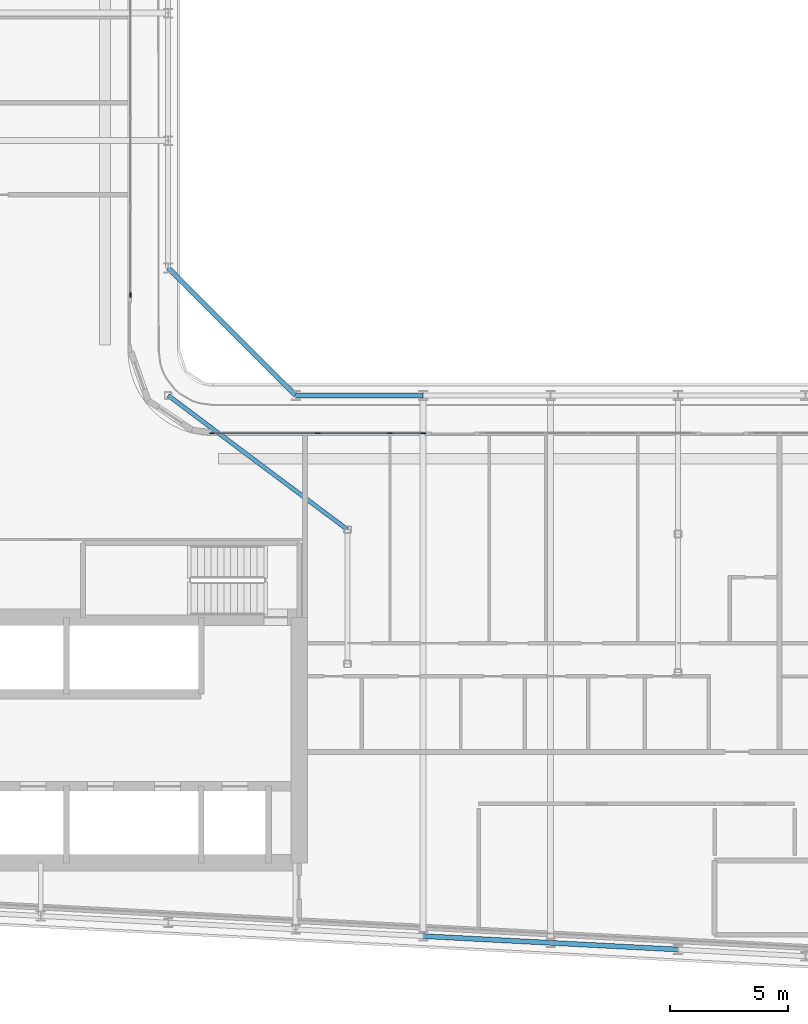
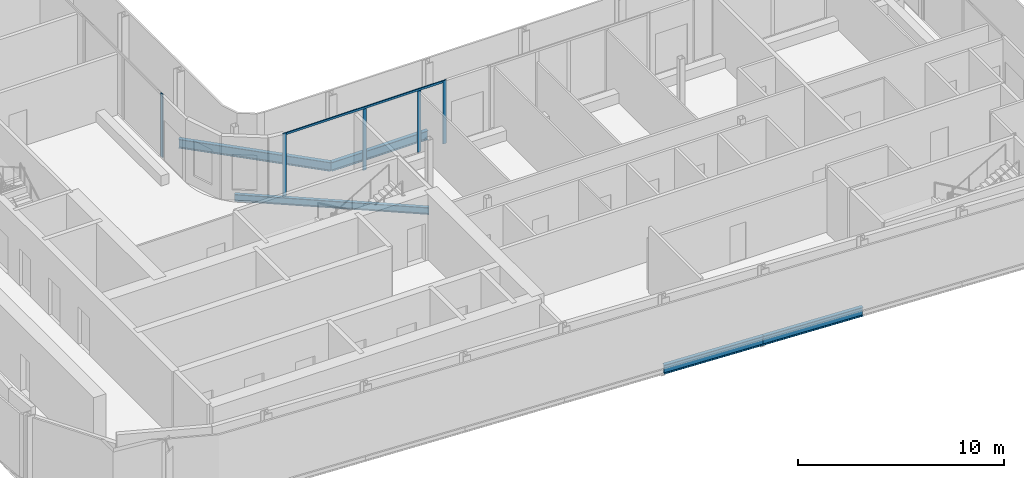
# One storey, part 4 of 21: 6 members, 5 beams, 2 elements without a shape of their own.
"""IFC4 building model written with IfcOpenShell, lengths in metres."""

from ifc_helpers import new_model, si_unit, direction, frame, origin, origin_2d, place, context, subcontext, project, spatial, rectangle, i_section, extrude, material, layer, layer_set, material_profile, profile_set, type_object, element, aggregate, save


model = new_model("IFC4")

# Units and contexts
model_context = context("Model", 3, precision=1e-05, world=origin(), true_north=direction((0.0, 1.0)))
body_context = subcontext(model_context, "Body", "Model", "MODEL_VIEW")
ifc_project = project(units=[si_unit("LENGTHUNIT", "METRE"), si_unit("AREAUNIT", "SQUARE_METRE"), si_unit("VOLUMEUNIT", "CUBIC_METRE"), si_unit("PLANEANGLEUNIT", "RADIAN"), si_unit("MASSUNIT", "GRAM", prefix="KILO")], contexts=[model_context])

# Site, building, storey
site_placement = place(None, origin())
site = spatial("IfcSite", under=ifc_project, at=site_placement, CompositionType="ELEMENT")
building_placement = place(site_placement, origin())
building = spatial("IfcBuilding", under=site, at=building_placement, Name="Kheshtan School and Residences Tower", CompositionType="ELEMENT")
storey_placement = place(building_placement, frame((0.0, 0.0, 224.0)))
storey = spatial("IfcBuildingStorey", under=building, at=storey_placement, Name="L52", CompositionType="ELEMENT", Elevation=224.0)

# Beams
ifc_material_1 = material(Name="Steel ASTM A992 Grade 50", Category="steel")
ifc_material_profile_1 = material_profile(ifc_material_1, i_section(OverallWidth=0.180908203125, OverallDepth=0.4169921875, WebThickness=0.010986328125, FlangeThickness=0.018310546875, FilletRadius=0.012451171875, at=origin_2d()), Name="W410x85")
ifc_profile_set_1 = profile_set([ifc_material_profile_1], Name="Steel ASTM A992 Grade 50")
beam_type_1 = type_object("IfcBeamType", Name="Beam FB3 W410x85 ASTM A992 Grade 50", PredefinedType="BEAM", material=ifc_profile_set_1)
beam_1_placement = place(storey_placement, frame((47.60009765625, 45.60009765625, -0.3583984375), z_axis=(0.800798828004, -0.598933416222, 0.0), x_axis=(0.598933416222, 0.800798828004, 0.0)))
element("IfcBeam", 1, at=beam_1_placement, inside=storey, type_object=beam_type_1, Name="Floor beam IC", PredefinedType="BEAM", context=body_context, shape_type="SweptSolid", body=[
    extrude(i_section(OverallWidth=0.180908203125, OverallDepth=0.4169921875, WebThickness=0.010986328125, FlangeThickness=0.018310546875, FilletRadius=0.012451171875, at=origin_2d()), origin(), (0.0, 0.0, 1.0), 9.490234375),
])
ifc_material_profile_2 = material_profile(ifc_material_1, i_section(OverallWidth=0.208984375, OverallDepth=0.532958984375, WebThickness=0.01025390625, FlangeThickness=0.015625, FilletRadius=0.013916015625, at=origin_2d()), Name="W530x92")
ifc_profile_set_2 = profile_set([ifc_material_profile_2], Name="Steel ASTM A992 Grade 50")
beam_type_2 = type_object("IfcBeamType", Name="Beam SP3 W530x92 ASTM A992 Grade 50", PredefinedType="BEAM", material=ifc_profile_set_2)
beam_2_placement = place(storey_placement, frame((47.60009765625, 51.0, -0.41650390625), z_axis=(0.707106781187, -0.707106781187, 0.0), x_axis=(0.707106781187, 0.707106781187, 0.0)))
element("IfcBeam", 2, at=beam_2_placement, inside=storey, type_object=beam_type_2, Name="Spandrel beam C079-C061", PredefinedType="BEAM", context=body_context, shape_type="SweptSolid", body=[
    extrude(i_section(OverallWidth=0.208984375, OverallDepth=0.532958984375, WebThickness=0.01025390625, FlangeThickness=0.015625, FilletRadius=0.013916015625, at=origin_2d()), origin(), (0.0, 0.0, 1.0), 7.63671875),
])
beam_3_placement = place(storey_placement, frame((53.0, 45.60009765625, -0.41650390625), z_axis=(1.0, 0.0, 0.0), x_axis=(0.0, 1.0, 0.0)))
element("IfcBeam", 3, at=beam_3_placement, inside=storey, type_object=beam_type_2, Name="Spandrel beam C061-C062", PredefinedType="BEAM", context=body_context, shape_type="SweptSolid", body=[
    extrude(i_section(OverallWidth=0.208984375, OverallDepth=0.532958984375, WebThickness=0.01025390625, FlangeThickness=0.015625, FilletRadius=0.013916015625, at=origin_2d()), origin(), (0.0, 0.0, 1.0), 5.39990234375),
])
beam_4_placement = place(storey_placement, frame((69.199951171875, 22.126953125, -0.41650390625), z_axis=(-0.998620447272, 0.05250906864, 0.0), x_axis=(-0.05250906864, -0.998620447272, 0.0)))
element("IfcBeam", 4, at=beam_4_placement, inside=storey, type_object=beam_type_2, Name="Spandrel beam C014-C016", PredefinedType="BEAM", context=body_context, shape_type="SweptSolid", body=[
    extrude(i_section(OverallWidth=0.208984375, OverallDepth=0.532958984375, WebThickness=0.01025390625, FlangeThickness=0.015625, FilletRadius=0.013916015625, at=origin_2d()), origin(), (0.0, 0.0, 1.0), 5.407470703125),
])
beam_5_placement = place(storey_placement, frame((63.800048828125, 22.410888671875, -0.41650390625), z_axis=(-0.998618203458, 0.052551724256, 0.0), x_axis=(-0.052551724256, -0.998618203458, 0.0)))
element("IfcBeam", 5, at=beam_5_placement, inside=storey, type_object=beam_type_2, Name="Spandrel beam C016-C018", PredefinedType="BEAM", context=body_context, shape_type="SweptSolid", body=[
    extrude(i_section(OverallWidth=0.208984375, OverallDepth=0.532958984375, WebThickness=0.01025390625, FlangeThickness=0.015625, FilletRadius=0.013916015625, at=origin_2d()), origin(), (0.0, 0.0, 1.0), 5.40771484375),
])

# Curtain wall, member
ifc_material_2 = material(Name="Clear low-e glass in thermally broken aluminium frame", Category="aluminium")
ifc_layer = layer(ifc_material_2, 0.199951171875)
ifc_layer_set = layer_set([ifc_layer], Name="Curtain wall CW-L")
curtain_wall_type = type_object("IfcCurtainWallType", Name="Curtain wall CW-L", PredefinedType="NOTDEFINED", material=ifc_layer_set)
curtain_wall_1_placement = place(storey_placement, origin())
curtain_wall_1 = element("IfcCurtainWall", 6, at=curtain_wall_1_placement, inside=storey, type_object=curtain_wall_type, Name="Curtain wall CWL4a", PredefinedType="NOTDEFINED")
ifc_material_3 = material(Name="Thermally broken aluminium, dark bronze anodised", Category="aluminium")
ifc_material_profile_3 = material_profile(ifc_material_3, rectangle(XDim=0.06005859375, YDim=0.199951171875, at=origin_2d()), Name="CW-L mullion 60x200")
ifc_profile_set_3 = profile_set([ifc_material_profile_3], Name="Thermally broken aluminium, dark bronze anodised")
member_type_1 = type_object("IfcMemberType", Name="CW-L mullion 60x200", PredefinedType="MULLION", material=ifc_profile_set_3)
member_1_placement = place(storey_placement, frame((46.0, 49.860107421875, 0.0), z_axis=(0.0, 0.0, 1.0), x_axis=(1.0, 0.0, 0.0)))
member_1 = element("IfcMember", 7, at=member_1_placement, type_object=member_type_1, Name="CWL4a mullion 3", PredefinedType="MULLION", context=body_context, shape_type="SweptSolid", body=[
    extrude(rectangle(XDim=0.06005859375, YDim=0.199951171875, at=origin_2d()), origin(), (0.0, 0.0, 1.0), 3.75),
])
aggregate(curtain_wall_1, [member_1])

# Curtain wall, members
curtain_wall_2_placement = place(storey_placement, origin())
curtain_wall_2 = element("IfcCurtainWall", 8, at=curtain_wall_2_placement, inside=storey, type_object=curtain_wall_type, Name="Curtain wall CWL8o", PredefinedType="NOTDEFINED")
member_2_placement = place(storey_placement, frame((49.4599609375, 44.0, 0.0), z_axis=(0.0, 0.0, 1.0), x_axis=(0.0, 1.0, 0.0)))
member_2 = element("IfcMember", 9, at=member_2_placement, type_object=member_type_1, Name="CWL8o mullion 1", PredefinedType="MULLION", context=body_context, shape_type="SweptSolid", body=[
    extrude(rectangle(XDim=0.06005859375, YDim=0.199951171875, at=origin_2d()), origin(), (0.0, 0.0, 1.0), 3.75),
])
member_3_placement = place(storey_placement, frame((53.941650390625, 44.0, 0.0), z_axis=(0.0, 0.0, 1.0), x_axis=(0.0, 1.0, 0.0)))
member_3 = element("IfcMember", 10, at=member_3_placement, type_object=member_type_1, Name="CWL8o mullion 2", PredefinedType="MULLION", context=body_context, shape_type="SweptSolid", body=[
    extrude(rectangle(XDim=0.06005859375, YDim=0.199951171875, at=origin_2d()), origin(), (0.0, 0.0, 1.0), 3.6298828125),
])
member_4_placement = place(storey_placement, frame((57.0, 44.0, 0.0), z_axis=(0.0, 0.0, 1.0), x_axis=(0.0, 1.0, 0.0)))
member_4 = element("IfcMember", 11, at=member_4_placement, type_object=member_type_1, Name="CWL8o mullion 3", PredefinedType="MULLION", context=body_context, shape_type="SweptSolid", body=[
    extrude(rectangle(XDim=0.06005859375, YDim=0.199951171875, at=origin_2d()), origin(), (0.0, 0.0, 1.0), 3.6298828125),
])
member_5_placement = place(storey_placement, frame((58.42333984375, 44.0, 0.0), z_axis=(0.0, 0.0, 1.0), x_axis=(0.0, 1.0, 0.0)))
member_5 = element("IfcMember", 12, at=member_5_placement, type_object=member_type_1, Name="CWL8o mullion 4", PredefinedType="MULLION", context=body_context, shape_type="SweptSolid", body=[
    extrude(rectangle(XDim=0.06005859375, YDim=0.199951171875, at=origin_2d()), origin(), (0.0, 0.0, 1.0), 3.75),
])
ifc_material_profile_4 = material_profile(ifc_material_3, rectangle(XDim=0.06005859375, YDim=0.1201171875, at=origin_2d()), Name="CW-L transom 60x120")
ifc_profile_set_4 = profile_set([ifc_material_profile_4], Name="Thermally broken aluminium, dark bronze anodised")
member_type_2 = type_object("IfcMemberType", Name="CW-L transom 60x120", PredefinedType="USERDEFINED", material=ifc_profile_set_4)
member_6_placement = place(storey_placement, frame((49.489990234375, 44.0, 3.68994140625), z_axis=(1.0, 0.0, 0.0), x_axis=(0.0, 1.0, 0.0)))
member_6 = element("IfcMember", 13, at=member_6_placement, type_object=member_type_2, Name="CWL8o transom 1", ObjectType="TRANSOM", PredefinedType="USERDEFINED", context=body_context, shape_type="SweptSolid", body=[
    extrude(rectangle(XDim=0.06005859375, YDim=0.1201171875, at=origin_2d()), origin(), (0.0, 0.0, 1.0), 8.9033203125),
])
aggregate(curtain_wall_2, [member_2, member_3, member_4, member_5, member_6])

save(model, "model.ifc")
